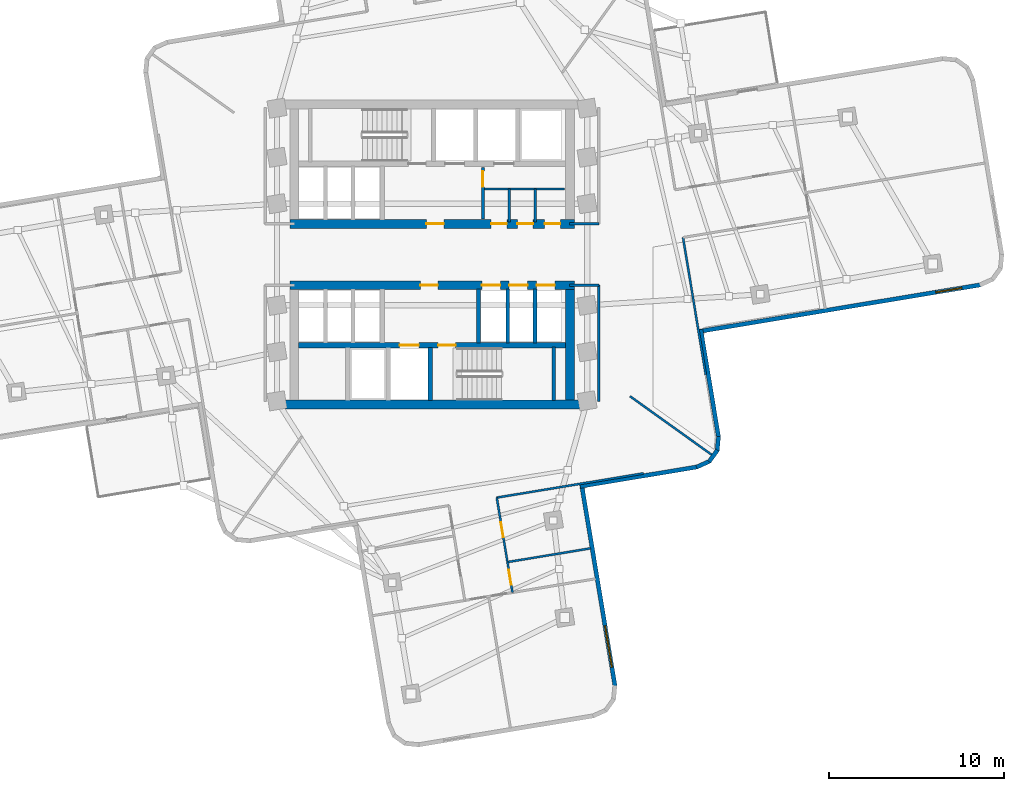
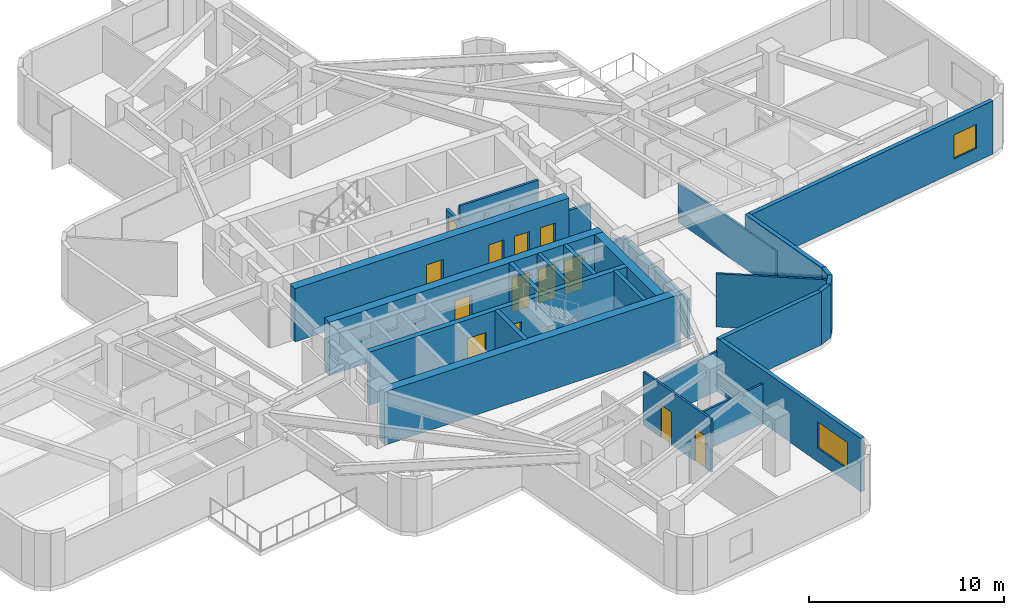
# One storey, part 4 of 9: 29 walls, 13 doors, 2 windows, 15 openings.
"""IFC4 building model written with IfcOpenShell, lengths in metres."""

from ifc_helpers import new_model, si_unit, direction, frame, frame_2d, origin, place, context, subcontext, project, spatial, rectangle, extrude, material, layer, layer_set, type_object, element, fill, save


model = new_model("IFC4")

# Units and contexts
model_context = context("Model", 3, precision=1e-05, world=origin(), true_north=direction((0.0, 1.0)))
body_context = subcontext(model_context, "Body", "Model", "MODEL_VIEW")
ifc_project = project(units=[si_unit("LENGTHUNIT", "METRE"), si_unit("AREAUNIT", "SQUARE_METRE"), si_unit("VOLUMEUNIT", "CUBIC_METRE"), si_unit("PLANEANGLEUNIT", "RADIAN"), si_unit("MASSUNIT", "GRAM", prefix="KILO")], contexts=[model_context])

# Site, building, storey
site_placement = place(None, origin())
site = spatial("IfcSite", under=ifc_project, at=site_placement, CompositionType="ELEMENT")
building_placement = place(site_placement, origin())
building = spatial("IfcBuilding", under=site, at=building_placement, Name="Solmarez Civic Tower", CompositionType="ELEMENT")
storey_placement = place(building_placement, frame((0.0, 0.0, 92.8798828125)))
storey = spatial("IfcBuildingStorey", under=building, at=storey_placement, Name="L24", CompositionType="ELEMENT", Elevation=92.8798828125)

# Wall, openings, doors
ifc_material_1 = material(Name="Concrete C60/75", Category="concrete")
ifc_layer_1 = layer(ifc_material_1, 0.5)
ifc_layer_set_1 = layer_set([ifc_layer_1], Name="Concrete C60/75")
wall_type_1 = type_object("IfcWallType", Name="WALL-CORE-500", PredefinedType="SHEAR", material=ifc_layer_set_1)
wall_1_placement = place(storey_placement, frame((8.1201171875, 1.75, 0.0), z_axis=(0.0, 0.0, 1.0), x_axis=(-1.0, 0.0, 0.0)))
wall_1 = element("IfcWall", 1, at=wall_1_placement, inside=storey, type_object=wall_type_1, Name="L24 Split-Core Structural Wall NCW-S-L24", PredefinedType="SHEAR", context=body_context, shape_type="SweptSolid", body=[
    extrude(rectangle(XDim=16.240234375, YDim=0.5, at=frame_2d((8.1201171875, 0.0))), origin(), (0.0, 0.0, 1.0), 3.340087890625),
])
opening_1_placement = place(wall_1_placement, frame((7.449951171875, 0.0, 0.0)))
opening_1 = element("IfcOpeningElement", 2, at=opening_1_placement, cuts=wall_1, Name="Opening D-04", PredefinedType="OPENING", context=body_context, shape_type="SweptSolid", body=[
    extrude(rectangle(XDim=1.0, YDim=2.10009765625, at=frame_2d((0.5, 1.050048828125))), frame((0.0, 0.260009765625, 0.0), z_axis=(0.0, -1.0, 0.0), x_axis=(1.0, 0.0, 0.0)), (0.0, 0.0, 1.0), 0.52001953125),
])
opening_2_placement = place(wall_1_placement, frame((3.85009765625, 0.0, 0.0)))
opening_2 = element("IfcOpeningElement", 3, at=opening_2_placement, cuts=wall_1, Name="Opening D-09", PredefinedType="OPENING", context=body_context, shape_type="SweptSolid", body=[
    extrude(rectangle(XDim=0.89990234375, YDim=2.06005859375, at=frame_2d((0.449951171875, 1.030029296875))), frame((0.0, 0.260009765625, 0.0), z_axis=(0.0, -1.0, 0.0), x_axis=(1.0, 0.0, 0.0)), (0.0, 0.0, 1.0), 0.52001953125),
])
opening_3_placement = place(wall_1_placement, frame((2.35009765625, 0.0, 0.0)))
opening_3 = element("IfcOpeningElement", 4, at=opening_3_placement, cuts=wall_1, Name="Opening D-09", PredefinedType="OPENING", context=body_context, shape_type="SweptSolid", body=[
    extrude(rectangle(XDim=0.89990234375, YDim=2.06005859375, at=frame_2d((0.449951171875, 1.030029296875))), frame((0.0, 0.260009765625, 0.0), z_axis=(0.0, -1.0, 0.0), x_axis=(1.0, 0.0, 0.0)), (0.0, 0.0, 1.0), 0.52001953125),
])
opening_4_placement = place(wall_1_placement, frame((0.800048828125, 0.0, 0.0)))
opening_4 = element("IfcOpeningElement", 5, at=opening_4_placement, cuts=wall_1, Name="Opening D-09", PredefinedType="OPENING", context=body_context, shape_type="SweptSolid", body=[
    extrude(rectangle(XDim=0.89990234375, YDim=2.06005859375, at=frame_2d((0.449951171875, 1.030029296875))), frame((0.0, 0.260009765625, 0.0), z_axis=(0.0, -1.0, 0.0), x_axis=(1.0, 0.0, 0.0)), (0.0, 0.0, 1.0), 0.52001953125),
])
ifc_material_2 = material(Name="Steel-Faced Acoustic Fire Door", Category="steel")
door_type_1 = type_object("IfcDoorType", Name="DOOR-FD60-1000", OperationType="NOTDEFINED", PredefinedType="DOOR", material=ifc_material_2)
door_1_placement = place(opening_1_placement, origin())
door_1 = element("IfcDoor", 6, at=door_1_placement, inside=storey, type_object=door_type_1, Name="L24 North Firefighting Lobby Door", OperationType="SINGLE_SWING_LEFT", OverallHeight=2.10009765625, OverallWidth=1.0, PredefinedType="DOOR", context=body_context, shape_type="SweptSolid", body=[
    extrude(rectangle(XDim=1.0, YDim=2.10009765625, at=frame_2d((0.5, 1.050048828125))), frame((0.0, 0.02490234375, 0.0), z_axis=(0.0, -1.0, 0.0), x_axis=(1.0, 0.0, 0.0)), (0.0, 0.0, 1.0), 0.050048828125),
])
fill(opening_1, door_1)
ifc_material_3 = material(Name="Fire-Rated Service Core Door", Category="wood")
door_type_2 = type_object("IfcDoorType", Name="DOOR-FD60-900", OperationType="NOTDEFINED", PredefinedType="DOOR", material=ifc_material_3)
door_2_placement = place(opening_2_placement, origin())
door_2 = element("IfcDoor", 7, at=door_2_placement, inside=storey, type_object=door_type_2, Name="L24 Core WC Door", OperationType="SINGLE_SWING_RIGHT", OverallHeight=2.06005859375, OverallWidth=0.89990234375, PredefinedType="DOOR", context=body_context, shape_type="SweptSolid", body=[
    extrude(rectangle(XDim=0.89990234375, YDim=2.06005859375, at=frame_2d((0.449951171875, 1.030029296875))), frame((0.0, 0.02490234375, 0.0), z_axis=(0.0, -1.0, 0.0), x_axis=(1.0, 0.0, 0.0)), (0.0, 0.0, 1.0), 0.050048828125),
])
fill(opening_2, door_2)
door_3_placement = place(opening_3_placement, origin())
door_3 = element("IfcDoor", 8, at=door_3_placement, inside=storey, type_object=door_type_2, Name="L24 Core CL Door", OperationType="SINGLE_SWING_LEFT", OverallHeight=2.06005859375, OverallWidth=0.89990234375, PredefinedType="DOOR", context=body_context, shape_type="SweptSolid", body=[
    extrude(rectangle(XDim=0.89990234375, YDim=2.06005859375, at=frame_2d((0.449951171875, 1.030029296875))), frame((0.0, 0.02490234375, 0.0), z_axis=(0.0, -1.0, 0.0), x_axis=(1.0, 0.0, 0.0)), (0.0, 0.0, 1.0), 0.050048828125),
])
fill(opening_3, door_3)
door_4_placement = place(opening_4_placement, origin())
door_4 = element("IfcDoor", 9, at=door_4_placement, inside=storey, type_object=door_type_2, Name="L24 Core IT Door", OperationType="SINGLE_SWING_LEFT", OverallHeight=2.06005859375, OverallWidth=0.89990234375, PredefinedType="DOOR", context=body_context, shape_type="SweptSolid", body=[
    extrude(rectangle(XDim=0.89990234375, YDim=2.06005859375, at=frame_2d((0.449951171875, 1.030029296875))), frame((0.0, 0.02490234375, 0.0), z_axis=(0.0, -1.0, 0.0), x_axis=(1.0, 0.0, 0.0)), (0.0, 0.0, 1.0), 0.050048828125),
])
fill(opening_4, door_4)

# Wall
wall_2_placement = place(storey_placement, frame((8.780029296875, -8.56005859375, 0.0), z_axis=(0.0, 0.0, 1.0), x_axis=(-1.0, 0.0, 0.0)))
element("IfcWall", 10, at=wall_2_placement, inside=storey, type_object=wall_type_1, Name="L24 Split-Core Structural Wall SCW-S-L24", PredefinedType="SHEAR", context=body_context, shape_type="SweptSolid", body=[
    extrude(rectangle(XDim=17.56005859375, YDim=0.5, at=frame_2d((8.780029296875, 0.0))), origin(), (0.0, 0.0, 1.0), 3.340087890625),
])

# Wall, openings, doors
wall_3_placement = place(storey_placement, frame((-8.1201171875, -1.75, 0.0), z_axis=(0.0, 0.0, 1.0), x_axis=(1.0, 0.0, 0.0)))
wall_3 = element("IfcWall", 11, at=wall_3_placement, inside=storey, type_object=wall_type_1, Name="L24 Split-Core Structural Wall SCW-N-L24", PredefinedType="SHEAR", context=body_context, shape_type="SweptSolid", body=[
    extrude(rectangle(XDim=16.240234375, YDim=0.5, at=frame_2d((8.1201171875, 0.0))), origin(), (0.0, 0.0, 1.0), 3.340087890625),
])
opening_5_placement = place(wall_3_placement, frame((7.449951171875, 0.0, 0.0)))
opening_5 = element("IfcOpeningElement", 12, at=opening_5_placement, cuts=wall_3, Name="Opening D-04", PredefinedType="OPENING", context=body_context, shape_type="SweptSolid", body=[
    extrude(rectangle(XDim=1.0, YDim=2.10009765625, at=frame_2d((0.5, 1.050048828125))), frame((0.0, 0.260009765625, 0.0), z_axis=(0.0, -1.0, 0.0), x_axis=(1.0, 0.0, 0.0)), (0.0, 0.0, 1.0), 0.52001953125),
])
opening_6_placement = place(wall_3_placement, frame((10.965087890625, 0.0, 0.0)))
opening_6 = element("IfcOpeningElement", 13, at=opening_6_placement, cuts=wall_3, Name="Opening LD-01", PredefinedType="OPENING", context=body_context, shape_type="SweptSolid", body=[
    extrude(rectangle(XDim=1.050048828125, YDim=2.14990234375, at=frame_2d((0.52490234375, 1.074951171875))), frame((0.0, 0.260009765625, 0.0), z_axis=(0.0, -1.0, 0.0), x_axis=(1.0, 0.0, 0.0)), (0.0, 0.0, 1.0), 0.52001953125),
])
opening_7_placement = place(wall_3_placement, frame((12.52490234375, 0.0, 0.0)))
opening_7 = element("IfcOpeningElement", 14, at=opening_7_placement, cuts=wall_3, Name="Opening LD-01", PredefinedType="OPENING", context=body_context, shape_type="SweptSolid", body=[
    extrude(rectangle(XDim=1.050048828125, YDim=2.14990234375, at=frame_2d((0.52490234375, 1.074951171875))), frame((0.0, 0.260009765625, 0.0), z_axis=(0.0, -1.0, 0.0), x_axis=(1.0, 0.0, 0.0)), (0.0, 0.0, 1.0), 0.52001953125),
])
opening_8_placement = place(wall_3_placement, frame((14.0849609375, 0.0, 0.0)))
opening_8 = element("IfcOpeningElement", 15, at=opening_8_placement, cuts=wall_3, Name="Opening LD-01", PredefinedType="OPENING", context=body_context, shape_type="SweptSolid", body=[
    extrude(rectangle(XDim=1.050048828125, YDim=2.14990234375, at=frame_2d((0.52490234375, 1.074951171875))), frame((0.0, 0.260009765625, 0.0), z_axis=(0.0, -1.0, 0.0), x_axis=(1.0, 0.0, 0.0)), (0.0, 0.0, 1.0), 0.52001953125),
])
door_5_placement = place(opening_5_placement, origin())
door_5 = element("IfcDoor", 16, at=door_5_placement, inside=storey, type_object=door_type_1, Name="L24 South Firefighting Lobby Door", OperationType="SINGLE_SWING_RIGHT", OverallHeight=2.10009765625, OverallWidth=1.0, PredefinedType="DOOR", context=body_context, shape_type="SweptSolid", body=[
    extrude(rectangle(XDim=1.0, YDim=2.10009765625, at=frame_2d((0.5, 1.050048828125))), frame((0.0, 0.02490234375, 0.0), z_axis=(0.0, -1.0, 0.0), x_axis=(1.0, 0.0, 0.0)), (0.0, 0.0, 1.0), 0.050048828125),
])
fill(opening_5, door_5)
ifc_material_4 = material(Name="Bronze Passenger Lift Landing Sliding Door", Category="aluminium")
door_type_3 = type_object("IfcDoorType", Name="DOOR-LD-PAX-1050", OperationType="DOUBLE_DOOR_SLIDING", PredefinedType="DOOR", material=ifc_material_4)
door_6_placement = place(opening_6_placement, origin())
door_6 = element("IfcDoor", 17, at=door_6_placement, inside=storey, type_object=door_type_3, Name="L24 Low-Rise Lift Landing Door PL-L1", OperationType="DOUBLE_DOOR_SLIDING", OverallHeight=2.14990234375, OverallWidth=1.050048828125, PredefinedType="DOOR", context=body_context, shape_type="SweptSolid", body=[
    extrude(rectangle(XDim=1.050048828125, YDim=2.14990234375, at=frame_2d((0.52490234375, 1.074951171875))), frame((0.0, 0.02490234375, 0.0), z_axis=(0.0, -1.0, 0.0), x_axis=(1.0, 0.0, 0.0)), (0.0, 0.0, 1.0), 0.050048828125),
])
fill(opening_6, door_6)
door_7_placement = place(opening_7_placement, origin())
door_7 = element("IfcDoor", 18, at=door_7_placement, inside=storey, type_object=door_type_3, Name="L24 Low-Rise Lift Landing Door PL-L2", OperationType="DOUBLE_DOOR_SLIDING", OverallHeight=2.14990234375, OverallWidth=1.050048828125, PredefinedType="DOOR", context=body_context, shape_type="SweptSolid", body=[
    extrude(rectangle(XDim=1.050048828125, YDim=2.14990234375, at=frame_2d((0.52490234375, 1.074951171875))), frame((0.0, 0.02490234375, 0.0), z_axis=(0.0, -1.0, 0.0), x_axis=(1.0, 0.0, 0.0)), (0.0, 0.0, 1.0), 0.050048828125),
])
fill(opening_7, door_7)
door_8_placement = place(opening_8_placement, origin())
door_8 = element("IfcDoor", 19, at=door_8_placement, inside=storey, type_object=door_type_3, Name="L24 Low-Rise Lift Landing Door PL-L3", OperationType="DOUBLE_DOOR_SLIDING", OverallHeight=2.14990234375, OverallWidth=1.050048828125, PredefinedType="DOOR", context=body_context, shape_type="SweptSolid", body=[
    extrude(rectangle(XDim=1.050048828125, YDim=2.14990234375, at=frame_2d((0.52490234375, 1.074951171875))), frame((0.0, 0.02490234375, 0.0), z_axis=(0.0, -1.0, 0.0), x_axis=(1.0, 0.0, 0.0)), (0.0, 0.0, 1.0), 0.050048828125),
])
fill(opening_8, door_8)

# Wall
wall_4_placement = place(storey_placement, frame((7.8701171875, -2.0, 0.0), z_axis=(0.0, 0.0, 1.0), x_axis=(0.0, -1.0, 0.0)))
element("IfcWall", 20, at=wall_4_placement, inside=storey, type_object=wall_type_1, Name="L24 Split-Core Structural Wall SCW-E-L24", PredefinedType="SHEAR", context=body_context, shape_type="SweptSolid", body=[
    extrude(rectangle(XDim=6.31005859375, YDim=0.5, at=frame_2d((3.155029296875, 0.0))), origin(), (0.0, 0.0, 1.0), 3.340087890625),
])

# Wall, opening, window
ifc_material_5 = material(Name="Precast concrete C40/50", Category="concrete")
ifc_layer_2 = layer(ifc_material_5, 0.239990234375)
ifc_layer_set_2 = layer_set([ifc_layer_2], Name="Precast concrete C40/50")
wall_type_2 = type_object("IfcWallType", Name="WALL-EXT-240", PredefinedType="SOLIDWALL", material=ifc_layer_set_2)
wall_5_placement = place(storey_placement, frame((31.31201171875, -1.72900390625, 0.0), z_axis=(0.0, 0.0, 1.0), x_axis=(-0.986572947557, -0.163321214629, 0.0)))
wall_5 = element("IfcWall", 21, at=wall_5_placement, inside=storey, type_object=wall_type_2, Name="L24 Exterior Precast Wall 46", PredefinedType="SOLIDWALL", context=body_context, shape_type="SweptSolid", body=[
    extrude(rectangle(XDim=16.2744140625, YDim=0.239990234375, at=frame_2d((8.13720703125, 0.0))), origin(), (0.0, 0.0, 1.0), 3.340087890625),
])
opening_9_placement = place(wall_5_placement, frame((1.10009765625, 0.0, 0.85009765625)))
opening_9 = element("IfcOpeningElement", 22, at=opening_9_placement, cuts=wall_5, Name="Opening W-14", PredefinedType="OPENING", context=body_context, shape_type="SweptSolid", body=[
    extrude(rectangle(XDim=1.5, YDim=1.5, at=frame_2d((0.75, 0.75))), frame((0.0, 0.1298828125, 0.0), z_axis=(0.0, -1.0, 0.0), x_axis=(1.0, 0.0, 0.0)), (0.0, 0.0, 1.0), 0.260009765625),
])
ifc_material_6 = material(Name="Solar Control Bronze-Tinted Insulating Glass", Category="glass")
window_type_1 = type_object("IfcWindowType", Name="WIN-1500X1500", PartitioningType="SINGLE_PANEL", PredefinedType="WINDOW", material=ifc_material_6)
window_1_placement = place(opening_9_placement, origin())
window_1 = element("IfcWindow", 23, at=window_1_placement, inside=storey, type_object=window_type_1, Name="L24 Exterior Facade Window 46", OverallHeight=1.5, OverallWidth=1.5, PartitioningType="SINGLE_PANEL", PredefinedType="WINDOW", context=body_context, shape_type="SweptSolid", body=[
    extrude(rectangle(XDim=1.5, YDim=1.5, at=frame_2d((0.75, 0.75))), frame((0.0, 0.030029296875, 0.0), z_axis=(0.0, -1.0, 0.0), x_axis=(1.0, 0.0, 0.0)), (0.0, 0.0, 1.0), 0.06005859375),
])
fill(opening_9, window_1)

# Walls
wall_6_placement = place(storey_placement, frame((15.3349609375, -4.27587890625, 0.0), z_axis=(0.0, 0.0, 1.0), x_axis=(0.16323720082, -0.986586851863, 0.0)))
element("IfcWall", 24, at=wall_6_placement, inside=storey, type_object=wall_type_2, Name="L24 Exterior Precast Wall 49", PredefinedType="SOLIDWALL", context=body_context, shape_type="SweptSolid", body=[
    extrude(rectangle(XDim=6.23681640625, YDim=0.239990234375, at=frame_2d((3.118408203125, 0.0))), origin(), (0.0, 0.0, 1.0), 3.340087890625),
])
wall_7_placement = place(storey_placement, frame((16.35107421875, -10.37890625, 0.0), z_axis=(0.0, 0.0, 1.0), x_axis=(-0.096474594184, -0.995335447313, 0.0)))
element("IfcWall", 25, at=wall_7_placement, inside=storey, type_object=wall_type_2, Name="L24 Exterior Precast Wall 50", PredefinedType="SOLIDWALL", context=body_context, shape_type="SweptSolid", body=[
    extrude(rectangle(XDim=0.830078125, YDim=0.239990234375, at=frame_2d((0.4150390625, 0.0))), origin(), (0.0, 0.0, 1.0), 3.340087890625),
])
wall_8_placement = place(storey_placement, frame((16.2880859375, -11.159912109375, 0.0), z_axis=(0.0, 0.0, 1.0), x_axis=(-0.583561896965, -0.812068662375, 0.0)))
element("IfcWall", 26, at=wall_8_placement, inside=storey, type_object=wall_type_2, Name="L24 Exterior Precast Wall 51", PredefinedType="SOLIDWALL", context=body_context, shape_type="SweptSolid", body=[
    extrude(rectangle(XDim=0.814208984375, YDim=0.239990234375, at=frame_2d((0.4072265625, 0.0))), origin(), (0.0, 0.0, 1.0), 3.340087890625),
])
wall_9_placement = place(storey_placement, frame((15.85107421875, -11.791015625, 0.0), z_axis=(0.0, 0.0, 1.0), x_axis=(-0.910868773958, -0.412696106872, 0.0)))
element("IfcWall", 27, at=wall_9_placement, inside=storey, type_object=wall_type_2, Name="L24 Exterior Precast Wall 52", PredefinedType="SOLIDWALL", context=body_context, shape_type="SweptSolid", body=[
    extrude(rectangle(XDim=0.8310546875, YDim=0.239990234375, at=frame_2d((0.41552734375, 0.0))), origin(), (0.0, 0.0, 1.0), 3.340087890625),
])
wall_10_placement = place(storey_placement, frame((15.14208984375, -12.1201171875, 0.0), z_axis=(0.0, 0.0, 1.0), x_axis=(-0.986586085056, -0.163241835244, 0.0)))
element("IfcWall", 28, at=wall_10_placement, inside=storey, type_object=wall_type_2, Name="L24 Exterior Precast Wall 53", PredefinedType="SOLIDWALL", context=body_context, shape_type="SweptSolid", body=[
    extrude(rectangle(XDim=6.77490234375, YDim=0.239990234375, at=frame_2d((3.387451171875, 0.0))), origin(), (0.0, 0.0, 1.0), 3.340087890625),
])

# Wall, opening, window
wall_11_placement = place(storey_placement, frame((8.537109375, -13.114990234375, 0.0), z_axis=(0.0, 0.0, 1.0), x_axis=(0.16331392199, -0.986574154782, 0.0)))
wall_11 = element("IfcWall", 29, at=wall_11_placement, inside=storey, type_object=wall_type_2, Name="L24 Exterior Precast Wall 56", PredefinedType="SOLIDWALL", context=body_context, shape_type="SweptSolid", body=[
    extrude(rectangle(XDim=11.6767578125, YDim=0.239990234375, at=frame_2d((5.83837890625, 0.0))), origin(), (0.0, 0.0, 1.0), 3.340087890625),
])
opening_10_placement = place(wall_11_placement, frame((8.177001953125, 0.0, 0.85009765625)))
opening_10 = element("IfcOpeningElement", 30, at=opening_10_placement, cuts=wall_11, Name="Opening W-10", PredefinedType="OPENING", context=body_context, shape_type="SweptSolid", body=[
    extrude(rectangle(XDim=2.39990234375, YDim=1.64990234375, at=frame_2d((1.199951171875, 0.824951171875))), frame((0.0, 0.1298828125, 0.0), z_axis=(0.0, -1.0, 0.0), x_axis=(1.0, 0.0, 0.0)), (0.0, 0.0, 1.0), 0.260009765625),
])
window_type_2 = type_object("IfcWindowType", Name="WIN-2400X1650", PartitioningType="SINGLE_PANEL", PredefinedType="WINDOW", material=ifc_material_6)
window_2_placement = place(opening_10_placement, origin())
window_2 = element("IfcWindow", 31, at=window_2_placement, inside=storey, type_object=window_type_2, Name="L24 Exterior Facade Window 56", OverallHeight=1.64990234375, OverallWidth=2.39990234375, PartitioningType="SINGLE_PANEL", PredefinedType="WINDOW", context=body_context, shape_type="SweptSolid", body=[
    extrude(rectangle(XDim=2.39990234375, YDim=1.64990234375, at=frame_2d((1.199951171875, 0.824951171875))), frame((0.0, 0.030029296875, 0.0), z_axis=(0.0, -1.0, 0.0), x_axis=(1.0, 0.0, 0.0)), (0.0, 0.0, 1.0), 0.06005859375),
])
fill(opening_10, window_2)

# Walls
ifc_material_7 = material(Name="Gypsum Board Acoustic Steel-Stud Partition", Category="steel")
ifc_layer_3 = layer(ifc_material_7, 0.14990234375)
ifc_layer_set_3 = layer_set([ifc_layer_3], Name="Gypsum Board Acoustic Steel-Stud Partition")
wall_type_3 = type_object("IfcWallType", Name="WALL-INT-FIRE-150", PredefinedType="PARTITIONING", material=ifc_layer_set_3)
wall_12_placement = place(storey_placement, frame((7.85009765625, 1.75, 0.0), z_axis=(0.0, 0.0, 1.0), x_axis=(1.0, 0.0, 0.0)))
element("IfcWall", 32, at=wall_12_placement, inside=storey, type_object=wall_type_3, Name="L24 Interior Partition CHW-L24-EN3", PredefinedType="PARTITIONING", context=body_context, shape_type="SweptSolid", body=[
    extrude(rectangle(XDim=1.669921875, YDim=0.14990234375, at=frame_2d((0.8349609375, 0.0))), origin(), (0.0, 0.0, 1.0), 2.405029296875),
])
wall_13_placement = place(storey_placement, frame((9.52001953125, -8.3798828125, 0.0), z_axis=(0.0, 0.0, 1.0), x_axis=(0.0, 1.0, 0.0)))
element("IfcWall", 33, at=wall_13_placement, inside=storey, type_object=wall_type_3, Name="L24 Interior Partition CHW-L24-ES1", PredefinedType="PARTITIONING", context=body_context, shape_type="SweptSolid", body=[
    extrude(rectangle(XDim=6.6298828125, YDim=0.14990234375, at=frame_2d((3.31494140625, 0.0))), origin(), (0.0, 0.0, 1.0), 2.486083984375),
])
wall_14_placement = place(storey_placement, frame((7.85009765625, -1.75, 0.0), z_axis=(0.0, 0.0, 1.0), x_axis=(1.0, 0.0, 0.0)))
element("IfcWall", 34, at=wall_14_placement, inside=storey, type_object=wall_type_3, Name="L24 Interior Partition CHW-L24-ES3", PredefinedType="PARTITIONING", context=body_context, shape_type="SweptSolid", body=[
    extrude(rectangle(XDim=1.669921875, YDim=0.14990234375, at=frame_2d((0.8349609375, 0.0))), origin(), (0.0, 0.0, 1.0), 2.405029296875),
])
ifc_layer_4 = layer(ifc_material_7, 0.1201171875)
ifc_layer_set_4 = layer_set([ifc_layer_4], Name="Gypsum Board Acoustic Steel-Stud Partition")
wall_type_4 = type_object("IfcWallType", Name="WALL-INT-PART-120", PredefinedType="PARTITIONING", material=ifc_layer_set_4)
wall_15_placement = place(storey_placement, frame((11.300048828125, -8.090087890625, 0.0), z_axis=(0.0, 0.0, 1.0), x_axis=(0.813131268368, -0.582080355623, 0.0)))
element("IfcWall", 35, at=wall_15_placement, inside=storey, type_object=wall_type_4, Name="L24 Interior Partition PT-L24-QDIV-4", PredefinedType="PARTITIONING", context=body_context, shape_type="SweptSolid", body=[
    extrude(rectangle(XDim=5.756591796875, YDim=0.1201171875, at=frame_2d((2.87841796875, 0.0))), origin(), (0.0, 0.0, 1.0), 3.340087890625),
])
wall_16_placement = place(storey_placement, frame((15.6201171875, -6.860107421875, 0.0), z_axis=(0.0, 0.0, 1.0), x_axis=(-0.16330811288, 0.986575116384, 0.0)))
element("IfcWall", 36, at=wall_16_placement, inside=storey, type_object=wall_type_4, Name="L24 Interior Partition PT-L24-E-EFR", PredefinedType="PARTITIONING", context=body_context, shape_type="SweptSolid", body=[
    extrude(rectangle(XDim=7.94873046875, YDim=0.1201171875, at=frame_2d((3.974365234375, 0.0))), origin(), (0.0, 0.0, 1.0), 2.486083984375),
])
wall_17_placement = place(storey_placement, frame((3.68603515625, -13.8740234375, 0.0), z_axis=(0.0, 0.0, 1.0), x_axis=(0.98658138377, 0.163270245909, 0.0)))
element("IfcWall", 37, at=wall_17_placement, inside=storey, type_object=wall_type_4, Name="L24 Interior Partition PT-L24-S-EFL", PredefinedType="PARTITIONING", context=body_context, shape_type="SweptSolid", body=[
    extrude(rectangle(XDim=8.489013671875, YDim=0.1201171875, at=frame_2d((4.24462890625, 0.0))), origin(), (0.0, 0.0, 1.0), 2.486083984375),
])
wall_18_placement = place(storey_placement, frame((4.323974609375, -17.549072265625, 0.0), z_axis=(0.0, 0.0, 1.0), x_axis=(0.986580422227, 0.163276056047, 0.0)))
element("IfcWall", 38, at=wall_18_placement, inside=storey, type_object=wall_type_4, Name="L24 Interior Partition PT-L24-S-LM", PredefinedType="PARTITIONING", context=body_context, shape_type="SweptSolid", body=[
    extrude(rectangle(XDim=4.79541015625, YDim=0.1201171875, at=frame_2d((2.397705078125, 0.0))), origin(), (0.0, 0.0, 1.0), 2.486083984375),
])

# Wall, openings, doors
wall_19_placement = place(storey_placement, frame((4.592041015625, -19.2890625, 0.0), z_axis=(0.0, 0.0, 1.0), x_axis=(-0.163389271883, 0.986561678677, 0.0)))
wall_19 = element("IfcWall", 39, at=wall_19_placement, inside=storey, type_object=wall_type_4, Name="L24 Interior Partition PT-L24-S-SL", PredefinedType="PARTITIONING", context=body_context, shape_type="SweptSolid", body=[
    extrude(rectangle(XDim=5.48974609375, YDim=0.1201171875, at=frame_2d((2.744873046875, 0.0))), origin(), (0.0, 0.0, 1.0), 3.340087890625),
])
opening_11_placement = place(wall_19_placement, frame((3.195068359375, 0.0, 0.0)))
opening_11 = element("IfcOpeningElement", 40, at=opening_11_placement, cuts=wall_19, Name="Opening D-14", PredefinedType="OPENING", context=body_context, shape_type="SweptSolid", body=[
    extrude(rectangle(XDim=0.860107421875, YDim=2.0400390625, at=frame_2d((0.43017578125, 1.02001953125))), frame((0.0, 0.070068359375, 0.0), z_axis=(0.0, -1.0, 0.0), x_axis=(1.0, 0.0, 0.0)), (0.0, 0.0, 1.0), 0.14013671875),
])
opening_12_placement = place(wall_19_placement, frame((0.449951171875, 0.0, 0.0)))
opening_12 = element("IfcOpeningElement", 41, at=opening_12_placement, cuts=wall_19, Name="Opening D-14", PredefinedType="OPENING", context=body_context, shape_type="SweptSolid", body=[
    extrude(rectangle(XDim=0.860107421875, YDim=2.0400390625, at=frame_2d((0.43017578125, 1.02001953125))), frame((0.0, 0.070068359375, 0.0), z_axis=(0.0, -1.0, 0.0), x_axis=(1.0, 0.0, 0.0)), (0.0, 0.0, 1.0), 0.14013671875),
])
ifc_material_8 = material(Name="Timber Storage and Pantry Door", Category="wood")
door_type_4 = type_object("IfcDoorType", Name="DOOR-INT-850", OperationType="NOTDEFINED", PredefinedType="DOOR", material=ifc_material_8)
door_9_placement = place(opening_11_placement, origin())
door_9 = element("IfcDoor", 42, at=door_9_placement, inside=storey, type_object=door_type_4, Name="L24 Catering Pantry First South Door", OperationType="SINGLE_SWING_LEFT", OverallHeight=2.0400390625, OverallWidth=0.860107421875, PredefinedType="DOOR", context=body_context, shape_type="SweptSolid", body=[
    extrude(rectangle(XDim=0.860107421875, YDim=2.0400390625, at=frame_2d((0.43017578125, 1.02001953125))), frame((0.0, 0.02490234375, 0.0), z_axis=(0.0, -1.0, 0.0), x_axis=(1.0, 0.0, 0.0)), (0.0, 0.0, 1.0), 0.050048828125),
])
fill(opening_11, door_9)
door_10_placement = place(opening_12_placement, origin())
door_10 = element("IfcDoor", 43, at=door_10_placement, inside=storey, type_object=door_type_4, Name="L24 Public Exhibition Library Second South Door", OperationType="SINGLE_SWING_RIGHT", OverallHeight=2.0400390625, OverallWidth=0.860107421875, PredefinedType="DOOR", context=body_context, shape_type="SweptSolid", body=[
    extrude(rectangle(XDim=0.860107421875, YDim=2.0400390625, at=frame_2d((0.43017578125, 1.02001953125))), frame((0.0, 0.02490234375, 0.0), z_axis=(0.0, -1.0, 0.0), x_axis=(1.0, 0.0, 0.0)), (0.0, 0.0, 1.0), 0.050048828125),
])
fill(opening_12, door_10)

# Wall, opening, door
ifc_layer_5 = layer(ifc_material_7, 0.159912109375)
ifc_layer_set_5 = layer_set([ifc_layer_5], Name="Gypsum Board Acoustic Steel-Stud Partition")
wall_type_5 = type_object("IfcWallType", Name="WALL-INT-SHAFT-160", PredefinedType="PARTITIONING", material=ifc_layer_set_5)
wall_20_placement = place(storey_placement, frame((2.89990234375, 2.0400390625, 0.0), z_axis=(0.0, 0.0, 1.0), x_axis=(0.0, 1.0, 0.0)))
wall_20 = element("IfcWall", 44, at=wall_20_placement, inside=storey, type_object=wall_type_5, Name="L24 Interior Partition SHW-NL2-L24", PredefinedType="PARTITIONING", context=body_context, shape_type="SweptSolid", body=[
    extrude(rectangle(XDim=2.93994140625, YDim=0.159912109375, at=frame_2d((1.469970703125, 0.0))), origin(), (0.0, 0.0, 1.0), 2.405029296875),
])
opening_13_placement = place(wall_20_placement, frame((1.820068359375, 0.0, 0.0)))
opening_13 = element("IfcOpeningElement", 45, at=opening_13_placement, cuts=wall_20, Name="Opening D-09", PredefinedType="OPENING", context=body_context, shape_type="SweptSolid", body=[
    extrude(rectangle(XDim=0.89990234375, YDim=2.06005859375, at=frame_2d((0.449951171875, 1.030029296875))), frame((0.0, 0.08984375, 0.0), z_axis=(0.0, -1.0, 0.0), x_axis=(1.0, 0.0, 0.0)), (0.0, 0.0, 1.0), 0.179931640625),
])
door_11_placement = place(opening_13_placement, origin())
door_11 = element("IfcDoor", 46, at=door_11_placement, inside=storey, type_object=door_type_2, Name="L24 Service Lift Lobby Door", OperationType="SINGLE_SWING_LEFT", OverallHeight=2.06005859375, OverallWidth=0.89990234375, PredefinedType="DOOR", context=body_context, shape_type="SweptSolid", body=[
    extrude(rectangle(XDim=0.89990234375, YDim=2.06005859375, at=frame_2d((0.449951171875, 1.030029296875))), frame((0.0, 0.02490234375, 0.0), z_axis=(0.0, -1.0, 0.0), x_axis=(1.0, 0.0, 0.0)), (0.0, 0.0, 1.0), 0.050048828125),
])
fill(opening_13, door_11)

# Walls
ifc_layer_6 = layer(ifc_material_7, 0.137939453125)
ifc_layer_set_6 = layer_set([ifc_layer_6], Name="Gypsum Board Acoustic Steel-Stud Partition")
wall_type_6 = type_object("IfcWallType", Name="WALL-INT-WET-140", PredefinedType="PARTITIONING", material=ifc_layer_set_6)
wall_21_placement = place(storey_placement, frame((2.89990234375, 3.739990234375, 0.0), z_axis=(0.0, 0.0, 1.0), x_axis=(1.0, 0.0, 0.0)))
element("IfcWall", 47, at=wall_21_placement, inside=storey, type_object=wall_type_6, Name="L24 Interior Partition SHW-SVH-L24", PredefinedType="PARTITIONING", context=body_context, shape_type="SweptSolid", body=[
    extrude(rectangle(XDim=4.650146484375, YDim=0.137939453125, at=frame_2d((2.3251953125, 0.0))), origin(), (0.0, 0.0, 1.0), 3.340087890625),
])
for number, where, z_axis, x_axis, name in (
    (48, (4.39990234375, 1.85009765625, 0.0), (0.0, 0.0, 1.0), (0.0, 1.0, 0.0), "L24 Interior Partition PT-NCSV1-L24"),
    (49, (5.89990234375, 1.85009765625, 0.0), (0.0, 0.0, 1.0), (0.0, 1.0, 0.0), "L24 Interior Partition PT-NCSV2-L24"),
):
    element("IfcWall", number, at=place(storey_placement, frame(where, z_axis=z_axis, x_axis=x_axis)), inside=storey, type_object=wall_type_6, Name=name, PredefinedType="PARTITIONING", context=body_context, shape_type="SweptSolid", body=[
        extrude(rectangle(XDim=1.889892578125, YDim=0.137939453125, at=frame_2d((0.94482421875, 0.0))), origin(), (0.0, 0.0, 1.0), 2.405029296875),
    ])

# Wall, openings, doors
ifc_material_9 = material(Name="Concrete C50/60", Category="concrete")
ifc_layer_7 = layer(ifc_material_9, 0.300048828125)
ifc_layer_set_7 = layer_set([ifc_layer_7], Name="Concrete C50/60")
wall_type_7 = type_object("IfcWallType", Name="WALL-STR-300", PredefinedType="SOLIDWALL", material=ifc_layer_set_7)
wall_22_placement = place(storey_placement, frame((-7.6201171875, -5.179931640625, 0.0), z_axis=(0.0, 0.0, 1.0), x_axis=(1.0, 0.0, 0.0)))
wall_22 = element("IfcWall", 50, at=wall_22_placement, inside=storey, type_object=wall_type_7, Name="L24 Split-Core Structural Wall SCW-M-L24", PredefinedType="SOLIDWALL", context=body_context, shape_type="SweptSolid", body=[
    extrude(rectangle(XDim=15.240234375, YDim=0.300048828125, at=frame_2d((7.6201171875, 0.0))), origin(), (0.0, 0.0, 1.0), 3.340087890625),
])
opening_14_placement = place(wall_22_placement, frame((5.77001953125, 0.0, 0.0)))
opening_14 = element("IfcOpeningElement", 51, at=opening_14_placement, cuts=wall_22, Name="Opening LD-02", PredefinedType="OPENING", context=body_context, shape_type="SweptSolid", body=[
    extrude(rectangle(XDim=1.10009765625, YDim=2.14990234375, at=frame_2d((0.550048828125, 1.074951171875))), frame((0.0, 0.159912109375, 0.0), z_axis=(0.0, -1.0, 0.0), x_axis=(1.0, 0.0, 0.0)), (0.0, 0.0, 1.0), 0.320068359375),
])
opening_15_placement = place(wall_22_placement, frame((7.969970703125, 0.0, 0.0)))
opening_15 = element("IfcOpeningElement", 52, at=opening_15_placement, cuts=wall_22, Name="Opening D-05", PredefinedType="OPENING", context=body_context, shape_type="SweptSolid", body=[
    extrude(rectangle(XDim=1.0, YDim=2.10009765625, at=frame_2d((0.5, 1.050048828125))), frame((0.0, 0.159912109375, 0.0), z_axis=(0.0, -1.0, 0.0), x_axis=(1.0, 0.0, 0.0)), (0.0, 0.0, 1.0), 0.320068359375),
])
ifc_material_10 = material(Name="Fire-Rated Stairwell Exit Door", Category="wood")
door_type_5 = type_object("IfcDoorType", Name="DOOR-FD90-1000", OperationType="NOTDEFINED", PredefinedType="DOOR", material=ifc_material_10)
door_12_placement = place(opening_15_placement, origin())
door_12 = element("IfcDoor", 53, at=door_12_placement, inside=storey, type_object=door_type_5, Name="L24 South Exit Stair Door ST-2", OperationType="SINGLE_SWING_RIGHT", OverallHeight=2.10009765625, OverallWidth=1.0, PredefinedType="DOOR", context=body_context, shape_type="SweptSolid", body=[
    extrude(rectangle(XDim=1.0, YDim=2.10009765625, at=frame_2d((0.5, 1.050048828125))), frame((0.0, 0.02490234375, 0.0), z_axis=(0.0, -1.0, 0.0), x_axis=(1.0, 0.0, 0.0)), (0.0, 0.0, 1.0), 0.050048828125),
])
fill(opening_15, door_12)
ifc_material_11 = material(Name="Stainless Firefighting Lift Landing Sliding Door", Category="aluminium")
door_type_6 = type_object("IfcDoorType", Name="DOOR-LD-FF-1100", OperationType="DOUBLE_DOOR_SLIDING", PredefinedType="DOOR", material=ifc_material_11)
door_13_placement = place(opening_14_placement, origin())
door_13 = element("IfcDoor", 54, at=door_13_placement, inside=storey, type_object=door_type_6, Name="L24 Firefighting Lift Landing Door FFL-2", OperationType="DOUBLE_DOOR_SLIDING", OverallHeight=2.14990234375, OverallWidth=1.10009765625, PredefinedType="DOOR", context=body_context, shape_type="SweptSolid", body=[
    extrude(rectangle(XDim=1.10009765625, YDim=2.14990234375, at=frame_2d((0.550048828125, 1.074951171875))), frame((0.0, 0.02490234375, 0.0), z_axis=(0.0, -1.0, 0.0), x_axis=(1.0, 0.0, 0.0)), (0.0, 0.0, 1.0), 0.050048828125),
])
fill(opening_14, door_13)

# Walls
wall_23_placement = place(storey_placement, frame((6.949951171875, -8.340087890625, 0.0), z_axis=(0.0, 0.0, 1.0), x_axis=(0.0, 1.0, 0.0)))
element("IfcWall", 55, at=wall_23_placement, inside=storey, type_object=wall_type_7, Name="L24 Split-Core Structural Wall SHW-SE-L24", PredefinedType="SOLIDWALL", context=body_context, shape_type="SweptSolid", body=[
    extrude(rectangle(XDim=3.06005859375, YDim=0.219970703125, at=frame_2d((1.530029296875, 0.0))), origin(), (0.0, 0.0, 1.0), 3.340087890625),
])
wall_24_placement = place(storey_placement, frame((-0.10009765625, -8.340087890625, 0.0), z_axis=(0.0, 0.0, 1.0), x_axis=(0.0, 1.0, 0.0)))
element("IfcWall", 56, at=wall_24_placement, inside=storey, type_object=wall_type_7, Name="L24 Split-Core Structural Wall SHW-S1-L24", PredefinedType="SOLIDWALL", context=body_context, shape_type="SweptSolid", body=[
    extrude(rectangle(XDim=3.0400390625, YDim=0.25, at=frame_2d((1.52001953125, 0.0))), origin(), (0.0, 0.0, 1.0), 3.340087890625),
])
wall_25_placement = place(storey_placement, frame((2.64990234375, -5.050048828125, 0.0), z_axis=(0.0, 0.0, 1.0), x_axis=(0.0, 1.0, 0.0)))
element("IfcWall", 57, at=wall_25_placement, inside=storey, type_object=wall_type_7, Name="L24 Split-Core Structural Wall SHW-SL2-L24", PredefinedType="SOLIDWALL", context=body_context, shape_type="SweptSolid", body=[
    extrude(rectangle(XDim=3.070068359375, YDim=0.25, at=frame_2d((1.53515625, 0.0))), origin(), (0.0, 0.0, 1.0), 3.340087890625),
])
for number, where, z_axis, x_axis, name in (
    (58, (4.320068359375, -5.050048828125, 0.0), (0.0, 0.0, 1.0), (0.0, 1.0, 0.0), "L24 Split-Core Structural Wall SHW-PLL-L24-1"),
    (59, (5.8798828125, -5.050048828125, 0.0), (0.0, 0.0, 1.0), (0.0, 1.0, 0.0), "L24 Split-Core Structural Wall SHW-PLL-L24-2"),
):
    element("IfcWall", number, at=place(storey_placement, frame(where, z_axis=z_axis, x_axis=x_axis)), inside=storey, type_object=wall_type_7, Name=name, PredefinedType="SOLIDWALL", context=body_context, shape_type="SweptSolid", body=[
        extrude(rectangle(XDim=3.070068359375, YDim=0.219970703125, at=frame_2d((1.53515625, 0.0))), origin(), (0.0, 0.0, 1.0), 3.340087890625),
    ])

save(model, "model.ifc")
